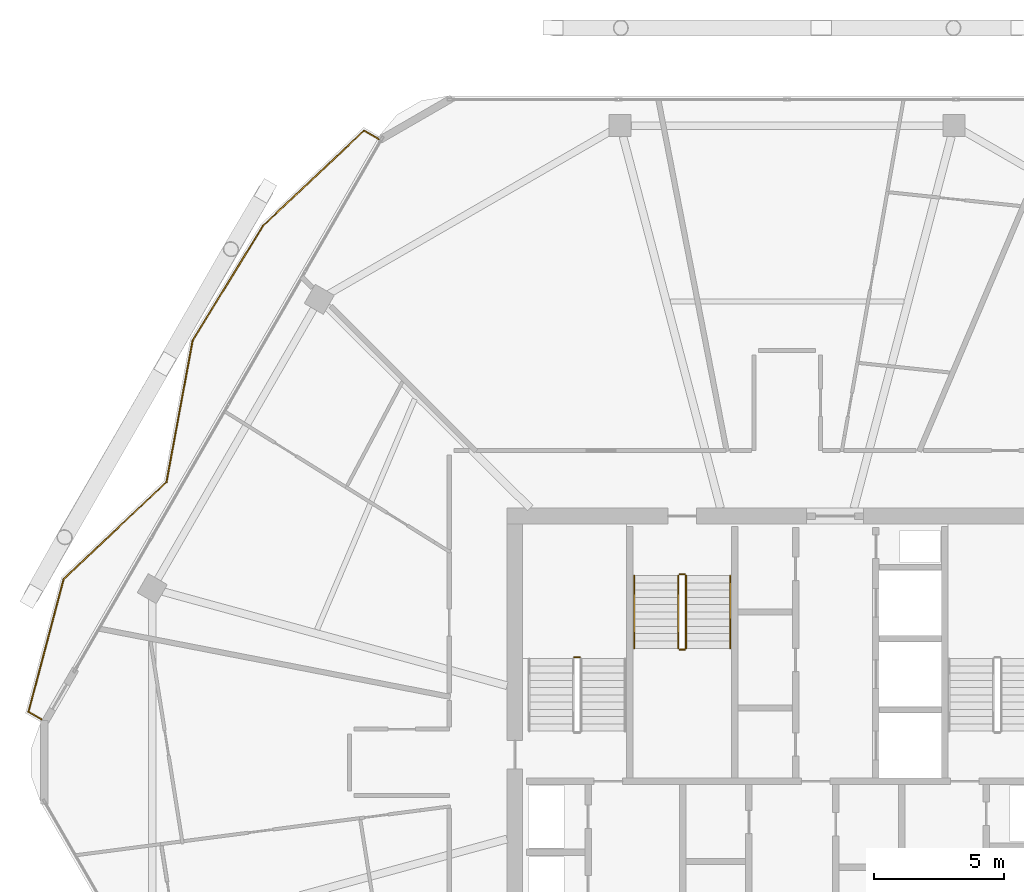
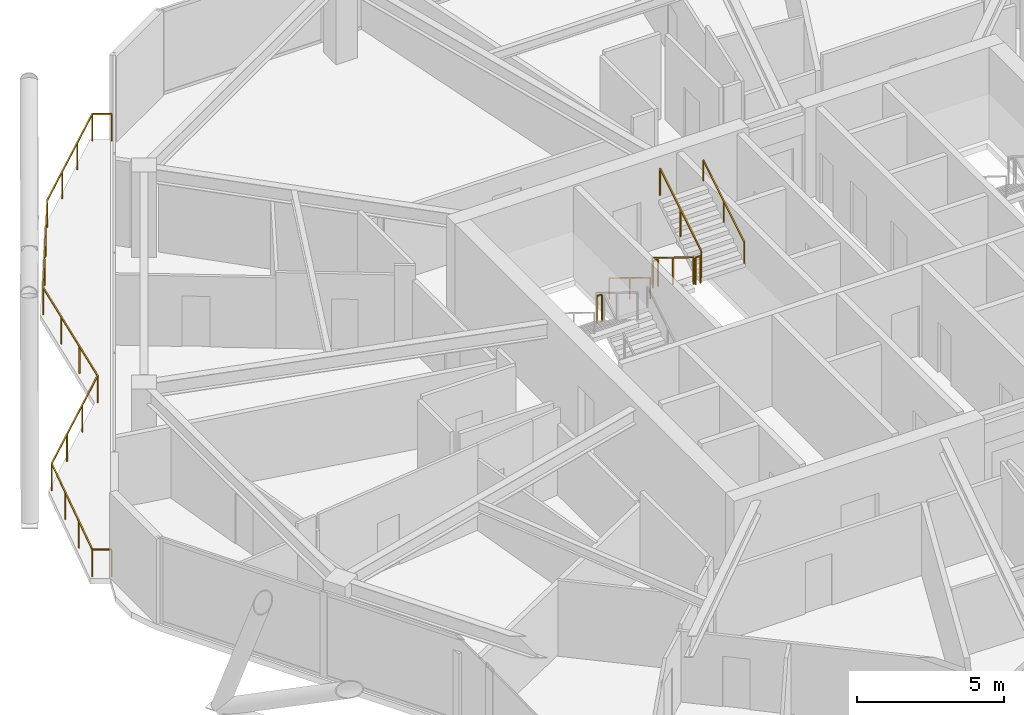
# One storey, part 28 of 29: 8 railings.
"""IFC4 building model written with IfcOpenShell, lengths in metres."""

from ifc_helpers import new_model, si_unit, direction, frame, origin, origin_2d, place, context, subcontext, project, spatial, rectangle, extrude, material, type_object, element, save


model = new_model("IFC4")

# Units and contexts
model_context = context("Model", 3, precision=1e-05, world=origin(), true_north=direction((0.0, 1.0)))
body_context = subcontext(model_context, "Body", "Model", "MODEL_VIEW")
ifc_project = project(units=[si_unit("LENGTHUNIT", "METRE"), si_unit("AREAUNIT", "SQUARE_METRE"), si_unit("VOLUMEUNIT", "CUBIC_METRE"), si_unit("PLANEANGLEUNIT", "RADIAN"), si_unit("MASSUNIT", "GRAM", prefix="KILO")], contexts=[model_context])

# Site, building, storey
site_placement = place(None, origin())
site = spatial("IfcSite", under=ifc_project, at=site_placement, CompositionType="ELEMENT")
building_placement = place(site_placement, origin())
building = spatial("IfcBuilding", under=site, at=building_placement, Name="Zuhravey Tower", CompositionType="ELEMENT")
storey_placement = place(building_placement, frame((0.0, 0.0, 292.0)))
storey = spatial("IfcBuildingStorey", under=building, at=storey_placement, Name="L74", CompositionType="ELEMENT", Elevation=292.0)

# Railings
ifc_material_1 = material(Name="Stainless steel 316 and laminated glass", Category="steel")
railing_type_1 = type_object("IfcRailingType", Name="Balcony & Terrace Guardrail 1150", PredefinedType="BALUSTRADE", material=ifc_material_1)
railing_1_placement = place(storey_placement, frame((7.31689453125, 33.61669921875, 0.0)))
element("IfcRailing", 1, at=railing_1_placement, inside=storey, type_object=railing_type_1, Name="L74 Face 3 Wave Balcony Guardrail GR1", PredefinedType="BALUSTRADE", context=body_context, shape_type="SweptSolid", body=[
    extrude(rectangle(XDim=0.048095703125, YDim=0.048095703125, at=origin_2d()), frame((-0.001708984375, 0.0009765625, 1.1259765625), z_axis=(-0.866197837791, 0.499701216534, 0.0), x_axis=(-0.499701216534, -0.866197837791, 0.0)), (0.0, 0.0, 1.0), 0.659423828125),
    extrude(rectangle(XDim=0.048095703125, YDim=0.048095703125, at=origin_2d()), frame((-0.57421875, 0.33349609375, 1.1259765625), z_axis=(0.256082481049, 0.966654934762, 0.0), x_axis=(-0.966654934762, 0.256082481049, 0.0)), (0.0, 0.0, 1.0), 5.295654296875),
    extrude(rectangle(XDim=0.048095703125, YDim=0.048095703125, at=origin_2d()), frame((0.783935546875, 5.4560546875, 1.1259765625), z_axis=(0.727456511907, 0.68615378982, 0.0), x_axis=(-0.68615378982, 0.727456511907, 0.0)), (0.0, 0.0, 1.0), 5.446044921875),
    extrude(rectangle(XDim=0.048095703125, YDim=0.048095703125, at=origin_2d()), frame((4.747314453125, 9.196044921875, 1.1259765625), z_axis=(0.181796210092, 0.983336228355, 0.0), x_axis=(-0.983336228355, 0.181796210092, 0.0)), (0.0, 0.0, 1.0), 5.544921875),
    extrude(rectangle(XDim=0.048095703125, YDim=0.048095703125, at=origin_2d()), frame((5.7568359375, 14.65234375, 1.1259765625), z_axis=(0.522778385808, 0.852468626597, 0.0), x_axis=(-0.852468626597, 0.522778385808, 0.0)), (0.0, 0.0, 1.0), 5.1826171875),
    extrude(rectangle(XDim=0.048095703125, YDim=0.048095703125, at=origin_2d()), frame((8.46875, 19.073486328125, 1.1259765625), z_axis=(0.727513372363, 0.68609350167, 0.0), x_axis=(-0.68609350167, 0.727513372363, 0.0)), (0.0, 0.0, 1.0), 5.35400390625),
    extrude(rectangle(XDim=0.048095703125, YDim=0.048095703125, at=origin_2d()), frame((12.366943359375, 22.7470703125, 1.1259765625), z_axis=(0.865953361906, -0.50012475944, 0.0), x_axis=(0.50012475944, 0.865953361906, 0.0)), (0.0, 0.0, 1.0), 0.661376953125),
    extrude(rectangle(XDim=0.0419921875, YDim=0.0419921875, at=origin_2d()), origin(), (0.0, 0.0, 1.0), 1.099853515625),
    extrude(rectangle(XDim=0.0419921875, YDim=0.0419921875, at=origin_2d()), frame((-0.57470703125, 0.33154296875, 0.0)), (0.0, 0.0, 1.0), 1.099853515625),
    extrude(rectangle(XDim=0.0419921875, YDim=0.0419921875, at=origin_2d()), frame((-0.122314453125, 2.039306640625, 0.0)), (0.0, 0.0, 1.0), 1.099853515625),
    extrude(rectangle(XDim=0.0419921875, YDim=0.0419921875, at=origin_2d()), frame((0.330078125, 3.746826171875, 0.0)), (0.0, 0.0, 1.0), 1.099853515625),
    extrude(rectangle(XDim=0.0419921875, YDim=0.0419921875, at=origin_2d()), frame((0.782470703125, 5.45458984375, 0.0)), (0.0, 0.0, 1.0), 1.099853515625),
    extrude(rectangle(XDim=0.0419921875, YDim=0.0419921875, at=origin_2d()), frame((2.10400390625, 6.701171875, 0.0)), (0.0, 0.0, 1.0), 1.099853515625),
    extrude(rectangle(XDim=0.0419921875, YDim=0.0419921875, at=origin_2d()), frame((3.425537109375, 7.947509765625, 0.0)), (0.0, 0.0, 1.0), 1.099853515625),
    extrude(rectangle(XDim=0.0419921875, YDim=0.0419921875, at=origin_2d()), frame((4.7470703125, 9.194091796875, 0.0)), (0.0, 0.0, 1.0), 1.099853515625),
    extrude(rectangle(XDim=0.0419921875, YDim=0.0419921875, at=origin_2d()), frame((5.083251953125, 11.012939453125, 0.0)), (0.0, 0.0, 1.0), 1.099853515625),
    extrude(rectangle(XDim=0.0419921875, YDim=0.0419921875, at=origin_2d()), frame((5.419677734375, 12.831787109375, 0.0)), (0.0, 0.0, 1.0), 1.099853515625),
    extrude(rectangle(XDim=0.0419921875, YDim=0.0419921875, at=origin_2d()), frame((5.755859375, 14.650634765625, 0.0)), (0.0, 0.0, 1.0), 1.099853515625),
    extrude(rectangle(XDim=0.0419921875, YDim=0.0419921875, at=origin_2d()), frame((6.65966796875, 16.12451171875, 0.0)), (0.0, 0.0, 1.0), 1.099853515625),
    extrude(rectangle(XDim=0.0419921875, YDim=0.0419921875, at=origin_2d()), frame((7.5634765625, 17.59814453125, 0.0)), (0.0, 0.0, 1.0), 1.099853515625),
    extrude(rectangle(XDim=0.0419921875, YDim=0.0419921875, at=origin_2d()), frame((8.46728515625, 19.072021484375, 0.0)), (0.0, 0.0, 1.0), 1.099853515625),
    extrude(rectangle(XDim=0.0419921875, YDim=0.0419921875, at=origin_2d()), frame((9.7666015625, 20.29736328125, 0.0)), (0.0, 0.0, 1.0), 1.099853515625),
    extrude(rectangle(XDim=0.0419921875, YDim=0.0419921875, at=origin_2d()), frame((11.06591796875, 21.522705078125, 0.0)), (0.0, 0.0, 1.0), 1.099853515625),
    extrude(rectangle(XDim=0.0419921875, YDim=0.0419921875, at=origin_2d()), frame((12.365234375, 22.748046875, 0.0)), (0.0, 0.0, 1.0), 1.099853515625),
    extrude(rectangle(XDim=0.0419921875, YDim=0.0419921875, at=origin_2d()), frame((12.94140625, 22.415283203125, 0.0)), (0.0, 0.0, 1.0), 1.099853515625),
])
ifc_material_2 = material(Name="Brushed stainless steel", Category="steel")
railing_type_2 = type_object("IfcRailingType", Name="Stair Wall Handrail 900", PredefinedType="HANDRAIL", material=ifc_material_2)
railing_2_placement = place(storey_placement, frame((30.10009765625, 39.199951171875, 0.172607421875)))
element("IfcRailing", 2, at=railing_2_placement, inside=storey, type_object=railing_type_2, Name="L74 ST3 stair handrail 1", PredefinedType="HANDRAIL", context=body_context, shape_type="SweptSolid", body=[
    extrude(rectangle(XDim=0.048095703125, YDim=0.048095703125, at=origin_2d()), frame((0.0, -0.001708984375, 0.876953125), z_axis=(0.0, -0.851089632645, 0.525020415988), x_axis=(1.0, 0.0, 0.0)), (0.0, 0.0, 1.0), 3.285888671875),
    extrude(rectangle(XDim=0.0419921875, YDim=0.0419921875, at=origin_2d()), origin(), (0.0, 0.0, 1.0), 0.849853515625),
    extrude(rectangle(XDim=0.0419921875, YDim=0.0419921875, at=origin_2d()), frame((0.0, -1.39990234375, 0.86376953125)), (0.0, 0.0, 1.0), 0.849853515625),
    extrude(rectangle(XDim=0.0419921875, YDim=0.0419921875, at=origin_2d()), frame((0.0, -2.800048828125, 1.727294921875)), (0.0, 0.0, 1.0), 0.849853515625),
])
railing_3_placement = place(storey_placement, frame((33.800048828125, 36.39990234375, 2.07275390625)))
element("IfcRailing", 3, at=railing_3_placement, inside=storey, type_object=railing_type_2, Name="L74 ST3 stair handrail 2", PredefinedType="HANDRAIL", context=body_context, shape_type="SweptSolid", body=[
    extrude(rectangle(XDim=0.048095703125, YDim=0.048095703125, at=origin_2d()), frame((0.0, 0.001708984375, 0.876953125), z_axis=(0.0, 0.851089632645, 0.525020415988), x_axis=(-1.0, 0.0, 0.0)), (0.0, 0.0, 1.0), 3.285888671875),
    extrude(rectangle(XDim=0.0419921875, YDim=0.0419921875, at=origin_2d()), origin(), (0.0, 0.0, 1.0), 0.849853515625),
    extrude(rectangle(XDim=0.0419921875, YDim=0.0419921875, at=origin_2d()), frame((0.0, 1.39990234375, 0.86376953125)), (0.0, 0.0, 1.0), 0.849853515625),
    extrude(rectangle(XDim=0.0419921875, YDim=0.0419921875, at=origin_2d()), frame((0.0, 2.800048828125, 1.727294921875)), (0.0, 0.0, 1.0), 0.849853515625),
])
ifc_material_3 = material(Name="Painted tubular steel", Category="steel")
railing_type_3 = type_object("IfcRailingType", Name="Stair Well Guardrail 1150", PredefinedType="GUARDRAIL", material=ifc_material_3)
railing_4_placement = place(storey_placement, frame((28.0, 36.050048828125, 1.89990234375)))
element("IfcRailing", 4, at=railing_4_placement, inside=storey, type_object=railing_type_3, Name="L74 ST1 stair guard 2", PredefinedType="GUARDRAIL", context=body_context, shape_type="SweptSolid", body=[
    extrude(rectangle(XDim=0.048095703125, YDim=0.048095703125, at=origin_2d()), frame((-0.001953125, 0.0, 1.1259765625), z_axis=(-1.0, 0.0, 0.0), x_axis=(0.0, -1.0, 0.0)), (0.0, 0.0, 1.0), 0.196044921875),
    extrude(rectangle(XDim=0.0419921875, YDim=0.0419921875, at=origin_2d()), origin(), (0.0, 0.0, 1.0), 1.099853515625),
    extrude(rectangle(XDim=0.0419921875, YDim=0.0419921875, at=origin_2d()), frame((-0.199951171875, 0.0, 0.0)), (0.0, 0.0, 1.0), 1.099853515625),
])
railing_5_placement = place(storey_placement, frame((31.800048828125, 39.199951171875, 0.172607421875)))
element("IfcRailing", 5, at=railing_5_placement, inside=storey, type_object=railing_type_3, Name="L74 ST3 stair guard 1", PredefinedType="GUARDRAIL", context=body_context, shape_type="SweptSolid", body=[
    extrude(rectangle(XDim=0.048095703125, YDim=0.048095703125, at=origin_2d()), frame((0.0, -0.001708984375, 1.126953125), z_axis=(0.0, -0.851089632645, 0.525020415988), x_axis=(1.0, 0.0, 0.0)), (0.0, 0.0, 1.0), 3.285888671875),
    extrude(rectangle(XDim=0.0419921875, YDim=0.0419921875, at=origin_2d()), origin(), (0.0, 0.0, 1.0), 1.099853515625),
    extrude(rectangle(XDim=0.0419921875, YDim=0.0419921875, at=origin_2d()), frame((0.0, -1.39990234375, 0.86376953125)), (0.0, 0.0, 1.0), 1.099853515625),
    extrude(rectangle(XDim=0.0419921875, YDim=0.0419921875, at=origin_2d()), frame((0.0, -2.800048828125, 1.727294921875)), (0.0, 0.0, 1.0), 1.099853515625),
])
railing_6_placement = place(storey_placement, frame((31.85009765625, 36.35009765625, 1.89990234375)))
element("IfcRailing", 6, at=railing_6_placement, inside=storey, type_object=railing_type_3, Name="L74 ST3 stair guard 2", PredefinedType="GUARDRAIL", context=body_context, shape_type="SweptSolid", body=[
    extrude(rectangle(XDim=0.048095703125, YDim=0.048095703125, at=origin_2d()), frame((0.001953125, 0.0, 1.1259765625), z_axis=(1.0, 0.0, 0.0), x_axis=(0.0, 1.0, 0.0)), (0.0, 0.0, 1.0), 0.196044921875),
    extrude(rectangle(XDim=0.0419921875, YDim=0.0419921875, at=origin_2d()), origin(), (0.0, 0.0, 1.0), 1.099853515625),
    extrude(rectangle(XDim=0.0419921875, YDim=0.0419921875, at=origin_2d()), frame((0.199951171875, 0.0, 0.0)), (0.0, 0.0, 1.0), 1.099853515625),
])
railing_7_placement = place(storey_placement, frame((32.10009765625, 36.39990234375, 2.07275390625)))
element("IfcRailing", 7, at=railing_7_placement, inside=storey, type_object=railing_type_3, Name="L74 ST3 stair guard 3", PredefinedType="GUARDRAIL", context=body_context, shape_type="SweptSolid", body=[
    extrude(rectangle(XDim=0.048095703125, YDim=0.048095703125, at=origin_2d()), frame((0.0, 0.001708984375, 1.126953125), z_axis=(0.0, 0.851089632645, 0.525020415988), x_axis=(-1.0, 0.0, 0.0)), (0.0, 0.0, 1.0), 3.285888671875),
    extrude(rectangle(XDim=0.0419921875, YDim=0.0419921875, at=origin_2d()), origin(), (0.0, 0.0, 1.0), 1.099853515625),
    extrude(rectangle(XDim=0.0419921875, YDim=0.0419921875, at=origin_2d()), frame((0.0, 1.39990234375, 0.86376953125)), (0.0, 0.0, 1.0), 1.099853515625),
    extrude(rectangle(XDim=0.0419921875, YDim=0.0419921875, at=origin_2d()), frame((0.0, 2.800048828125, 1.727294921875)), (0.0, 0.0, 1.0), 1.099853515625),
])
railing_8_placement = place(storey_placement, frame((31.85009765625, 39.25, 0.0)))
element("IfcRailing", 8, at=railing_8_placement, inside=storey, type_object=railing_type_3, Name="L74 ST3 stair guard 4", PredefinedType="GUARDRAIL", context=body_context, shape_type="SweptSolid", body=[
    extrude(rectangle(XDim=0.048095703125, YDim=0.048095703125, at=origin_2d()), frame((0.001953125, 0.0, 1.1259765625), z_axis=(1.0, 0.0, 0.0), x_axis=(0.0, 1.0, 0.0)), (0.0, 0.0, 1.0), 0.196044921875),
    extrude(rectangle(XDim=0.0419921875, YDim=0.0419921875, at=origin_2d()), origin(), (0.0, 0.0, 1.0), 1.099853515625),
    extrude(rectangle(XDim=0.0419921875, YDim=0.0419921875, at=origin_2d()), frame((0.199951171875, 0.0, 0.0)), (0.0, 0.0, 1.0), 1.099853515625),
])

save(model, "model.ifc")
